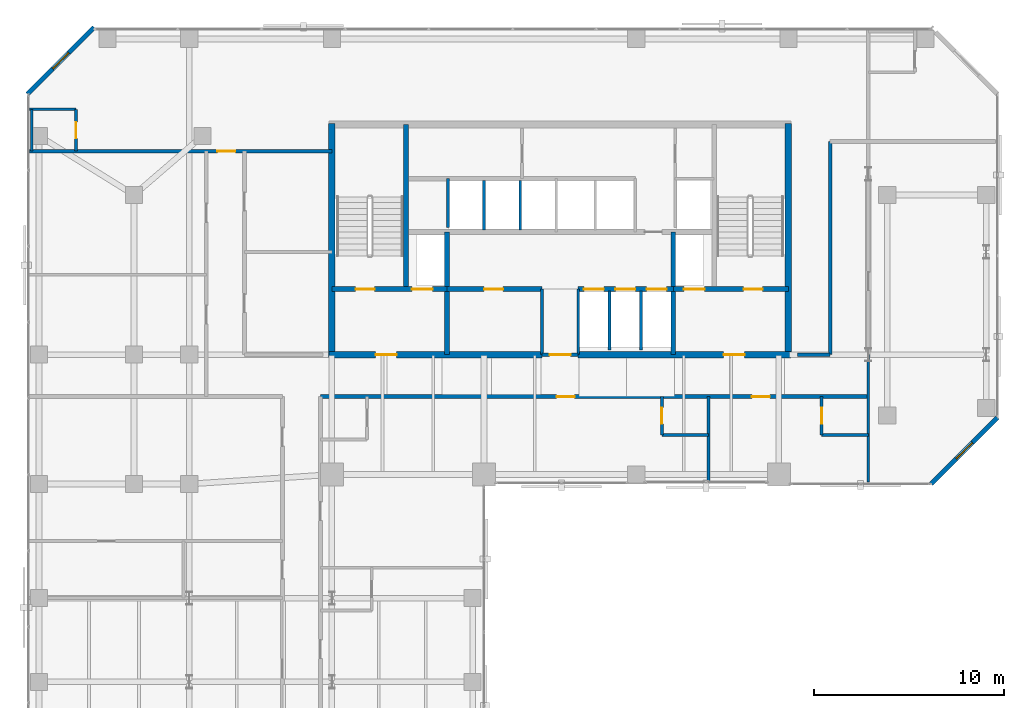
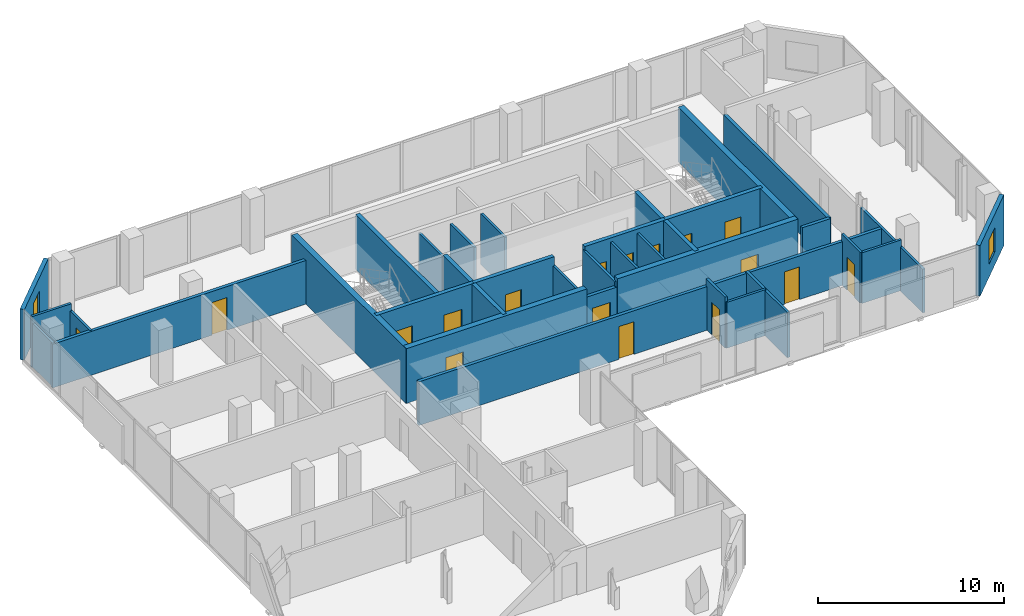
# One storey, part 29 of 33: 34 walls, 17 doors, 2 windows, 19 openings.
"""IFC4 building model written with IfcOpenShell, lengths in metres."""

from ifc_helpers import new_model, si_unit, direction, frame, frame_2d, origin, place, context, subcontext, project, spatial, rectangle, extrude, material, layer, layer_set, type_object, element, fill, save


model = new_model("IFC4")

# Units and contexts
model_context = context("Model", 3, precision=1e-05, world=origin(), true_north=direction((0.0, 1.0)))
body_context = subcontext(model_context, "Body", "Model", "MODEL_VIEW")
ifc_project = project(units=[si_unit("LENGTHUNIT", "METRE"), si_unit("AREAUNIT", "SQUARE_METRE"), si_unit("VOLUMEUNIT", "CUBIC_METRE"), si_unit("PLANEANGLEUNIT", "RADIAN"), si_unit("MASSUNIT", "GRAM", prefix="KILO")], contexts=[model_context])

# Site, building, storey
site_placement = place(None, origin())
site = spatial("IfcSite", under=ifc_project, at=site_placement, CompositionType="ELEMENT")
building_placement = place(site_placement, origin())
building = spatial("IfcBuilding", under=site, at=building_placement, Name="Catumbela Crestline Tower", CompositionType="ELEMENT")
storey_placement = place(building_placement, frame((0.0, 0.0, 100.8)))
storey = spatial("IfcBuildingStorey", under=building, at=storey_placement, Name="L25", CompositionType="ELEMENT", Elevation=100.8)

# Walls
ifc_material_1 = material(Name="Concrete C50/60", Category="concrete")
ifc_layer_1 = layer(ifc_material_1, 0.25, Name="Concrete C50/60")
ifc_layer_set_1 = layer_set([ifc_layer_1], Name="Concrete C50/60")
wall_type_1 = type_object("IfcWallType", Name="CW-250D", PredefinedType="SHEAR", material=ifc_layer_set_1)
wall_1_placement = place(storey_placement, frame((19.9, 34.25, 0.0), z_axis=(0.0, 0.0, 1.0), x_axis=(0.0, 1.0, 0.0)))
element("IfcWall", 1, at=wall_1_placement, inside=storey, type_object=wall_type_1, Name="L25 Structural Core Shear Wall WWEB", PredefinedType="SHEAR", context=body_context, shape_type="SweptSolid", body=[
    extrude(rectangle(XDim=8.65, YDim=0.25, at=frame_2d((4.325, 0.0))), origin(), (0.0, 0.0, 1.0), 3.6),
])
for number, where, z_axis, x_axis, name in (
    (2, (22.05, 30.8, 0.0), (0.0, 0.0, 1.0), (0.0, 1.0, 0.0), "L25 Structural Core Shear Wall FFW"),
    (3, (33.95, 30.8, 0.0), (0.0, 0.0, 1.0), (0.0, 1.0, 0.0), "L25 Structural Core Shear Wall FFE"),
):
    element("IfcWall", number, at=place(storey_placement, frame(where, z_axis=z_axis, x_axis=x_axis)), inside=storey, type_object=wall_type_1, Name=name, PredefinedType="SHEAR", context=body_context, shape_type="SweptSolid", body=[
        extrude(rectangle(XDim=6.45, YDim=0.25, at=frame_2d((3.225, 0.0))), origin(), (0.0, 0.0, 1.0), 3.6),
    ])

# Wall, openings, doors
wall_2_placement = place(storey_placement, frame((16.0, 34.25, 0.0), z_axis=(0.0, 0.0, 1.0), x_axis=(1.0, 0.0, 0.0)))
wall_2 = element("IfcWall", 4, at=wall_2_placement, inside=storey, type_object=wall_type_1, Name="L25 Structural Core Shear Wall ST1S", PredefinedType="SHEAR", context=body_context, shape_type="SweptSolid", body=[
    extrude(rectangle(XDim=6.05, YDim=0.25, at=frame_2d((3.025, 0.0))), origin(), (0.0, 0.0, 1.0), 3.6),
])
opening_1_placement = place(wall_2_placement, frame((1.25, 0.0, 0.0)))
opening_1 = element("IfcOpeningElement", 5, at=opening_1_placement, cuts=wall_2, Name="Opening DF9-100", PredefinedType="OPENING", context=body_context, shape_type="SweptSolid", body=[
    extrude(rectangle(XDim=1.0, YDim=2.15, at=frame_2d((0.5, 1.075))), frame((0.0, 0.135, 0.0), z_axis=(0.0, -1.0, 0.0), x_axis=(1.0, 0.0, 0.0)), (0.0, 0.0, 1.0), 0.27),
])
opening_2_placement = place(wall_2_placement, frame((4.2, 0.0, 0.0)))
opening_2 = element("IfcOpeningElement", 6, at=opening_2_placement, cuts=wall_2, Name="Opening LD-110", PredefinedType="OPENING", context=body_context, shape_type="SweptSolid", body=[
    extrude(rectangle(XDim=1.1, YDim=2.15, at=frame_2d((0.55, 1.075))), frame((0.0, 0.135, 0.0), z_axis=(0.0, -1.0, 0.0), x_axis=(1.0, 0.0, 0.0)), (0.0, 0.0, 1.0), 0.27),
])
ifc_material_2 = material(Name="Stainless steel EN 1.4401", Category="steel")
door_type_1 = type_object("IfcDoorType", Name="DF9-100", OperationType="NOTDEFINED", PredefinedType="DOOR", material=ifc_material_2)
door_1_placement = place(opening_1_placement, origin())
door_1 = element("IfcDoor", 7, at=door_1_placement, inside=storey, type_object=door_type_1, Name="L25 Interior Door DR-L25-ST01", OperationType="SINGLE_SWING_LEFT", OverallHeight=2.15, OverallWidth=1.0, PredefinedType="DOOR", context=body_context, shape_type="SweptSolid", body=[
    extrude(rectangle(XDim=1.0, YDim=2.15, at=frame_2d((0.5, 1.075))), frame((0.0, 0.025, 0.0), z_axis=(0.0, -1.0, 0.0), x_axis=(1.0, 0.0, 0.0)), (0.0, 0.0, 1.0), 0.05),
])
fill(opening_1, door_1)
door_type_2 = type_object("IfcDoorType", Name="LD-110", OperationType="NOTDEFINED", PredefinedType="DOOR", material=ifc_material_2)
door_2_placement = place(opening_2_placement, origin())
door_2 = element("IfcDoor", 8, at=door_2_placement, inside=storey, type_object=door_type_2, Name="L25 Lift Landing Sliding Door FL-01", OperationType="DOUBLE_DOOR_SLIDING", OverallHeight=2.15, OverallWidth=1.1, PredefinedType="DOOR", context=body_context, shape_type="SweptSolid", body=[
    extrude(rectangle(XDim=1.1, YDim=2.15, at=frame_2d((0.55, 1.075))), frame((0.0, 0.025, 0.0), z_axis=(0.0, -1.0, 0.0), x_axis=(1.0, 0.0, 0.0)), (0.0, 0.0, 1.0), 0.05),
])
fill(opening_2, door_2)

wall_3_placement = place(storey_placement, frame((33.95, 34.25, 0.0), z_axis=(0.0, 0.0, 1.0), x_axis=(1.0, 0.0, 0.0)))
wall_3 = element("IfcWall", 9, at=wall_3_placement, inside=storey, type_object=wall_type_1, Name="L25 Structural Core Shear Wall ST2S", PredefinedType="SHEAR", context=body_context, shape_type="SweptSolid", body=[
    extrude(rectangle(XDim=6.05, YDim=0.25, at=frame_2d((3.025, 0.0))), origin(), (0.0, 0.0, 1.0), 3.6),
])
opening_3_placement = place(wall_3_placement, frame((3.7, 0.0, 0.0)))
opening_3 = element("IfcOpeningElement", 10, at=opening_3_placement, cuts=wall_3, Name="Opening DF9-100", PredefinedType="OPENING", context=body_context, shape_type="SweptSolid", body=[
    extrude(rectangle(XDim=1.0, YDim=2.15, at=frame_2d((0.5, 1.075))), frame((0.0, 0.135, 0.0), z_axis=(0.0, -1.0, 0.0), x_axis=(1.0, 0.0, 0.0)), (0.0, 0.0, 1.0), 0.27),
])
opening_4_placement = place(wall_3_placement, frame((0.55, 0.0, 0.0)))
opening_4 = element("IfcOpeningElement", 11, at=opening_4_placement, cuts=wall_3, Name="Opening LD-110", PredefinedType="OPENING", context=body_context, shape_type="SweptSolid", body=[
    extrude(rectangle(XDim=1.1, YDim=2.15, at=frame_2d((0.55, 1.075))), frame((0.0, 0.135, 0.0), z_axis=(0.0, -1.0, 0.0), x_axis=(1.0, 0.0, 0.0)), (0.0, 0.0, 1.0), 0.27),
])
door_3_placement = place(opening_3_placement, origin())
door_3 = element("IfcDoor", 12, at=door_3_placement, inside=storey, type_object=door_type_1, Name="L25 Interior Door DR-L25-ST02", OperationType="SINGLE_SWING_RIGHT", OverallHeight=2.15, OverallWidth=1.0, PredefinedType="DOOR", context=body_context, shape_type="SweptSolid", body=[
    extrude(rectangle(XDim=1.0, YDim=2.15, at=frame_2d((0.5, 1.075))), frame((0.0, 0.025, 0.0), z_axis=(0.0, -1.0, 0.0), x_axis=(1.0, 0.0, 0.0)), (0.0, 0.0, 1.0), 0.05),
])
fill(opening_3, door_3)
door_4_placement = place(opening_4_placement, origin())
door_4 = element("IfcDoor", 13, at=door_4_placement, inside=storey, type_object=door_type_2, Name="L25 Lift Landing Sliding Door FL-02", OperationType="DOUBLE_DOOR_SLIDING", OverallHeight=2.15, OverallWidth=1.1, PredefinedType="DOOR", context=body_context, shape_type="SweptSolid", body=[
    extrude(rectangle(XDim=1.1, YDim=2.15, at=frame_2d((0.55, 1.075))), frame((0.0, 0.025, 0.0), z_axis=(0.0, -1.0, 0.0), x_axis=(1.0, 0.0, 0.0)), (0.0, 0.0, 1.0), 0.05),
])
fill(opening_4, door_4)

# Wall, opening, door
wall_4_placement = place(storey_placement, frame((22.05, 34.25, 0.0), z_axis=(0.0, 0.0, 1.0), x_axis=(1.0, 0.0, 0.0)))
wall_4 = element("IfcWall", 14, at=wall_4_placement, inside=storey, type_object=wall_type_1, Name="L25 Structural Core Shear Wall LIFTS-W", PredefinedType="SHEAR", context=body_context, shape_type="SweptSolid", body=[
    extrude(rectangle(XDim=5.0, YDim=0.25, at=frame_2d((2.5, 0.0))), origin(), (0.0, 0.0, 1.0), 3.6),
])
opening_5_placement = place(wall_4_placement, frame((1.95, 0.0, 0.0)))
opening_5 = element("IfcOpeningElement", 15, at=opening_5_placement, cuts=wall_4, Name="Opening DF9-100", PredefinedType="OPENING", context=body_context, shape_type="SweptSolid", body=[
    extrude(rectangle(XDim=1.0, YDim=2.15, at=frame_2d((0.5, 1.075))), frame((0.0, 0.135, 0.0), z_axis=(0.0, -1.0, 0.0), x_axis=(1.0, 0.0, 0.0)), (0.0, 0.0, 1.0), 0.27),
])
door_5_placement = place(opening_5_placement, origin())
door_5 = element("IfcDoor", 16, at=door_5_placement, inside=storey, type_object=door_type_1, Name="L25 Interior Door DR-L25-RECL1", OperationType="SINGLE_SWING_LEFT", OverallHeight=2.15, OverallWidth=1.0, PredefinedType="DOOR", context=body_context, shape_type="SweptSolid", body=[
    extrude(rectangle(XDim=1.0, YDim=2.15, at=frame_2d((0.5, 1.075))), frame((0.0, 0.025, 0.0), z_axis=(0.0, -1.0, 0.0), x_axis=(1.0, 0.0, 0.0)), (0.0, 0.0, 1.0), 0.05),
])
fill(opening_5, door_5)

# Wall, openings, doors
wall_5_placement = place(storey_placement, frame((28.95, 34.25, 0.0), z_axis=(0.0, 0.0, 1.0), x_axis=(1.0, 0.0, 0.0)))
wall_5 = element("IfcWall", 17, at=wall_5_placement, inside=storey, type_object=wall_type_1, Name="L25 Structural Core Shear Wall LIFTS-E", PredefinedType="SHEAR", context=body_context, shape_type="SweptSolid", body=[
    extrude(rectangle(XDim=5.0, YDim=0.25, at=frame_2d((2.5, 0.0))), origin(), (0.0, 0.0, 1.0), 3.6),
])
opening_6_placement = place(wall_5_placement, frame((0.3, 0.0, 0.0)))
opening_6 = element("IfcOpeningElement", 18, at=opening_6_placement, cuts=wall_5, Name="Opening LD-105", PredefinedType="OPENING", context=body_context, shape_type="SweptSolid", body=[
    extrude(rectangle(XDim=1.05, YDim=2.15, at=frame_2d((0.525, 1.075))), frame((0.0, 0.135, 0.0), z_axis=(0.0, -1.0, 0.0), x_axis=(1.0, 0.0, 0.0)), (0.0, 0.0, 1.0), 0.27),
])
opening_7_placement = place(wall_5_placement, frame((1.95, 0.0, 0.0)))
opening_7 = element("IfcOpeningElement", 19, at=opening_7_placement, cuts=wall_5, Name="Opening LD-105", PredefinedType="OPENING", context=body_context, shape_type="SweptSolid", body=[
    extrude(rectangle(XDim=1.05, YDim=2.15, at=frame_2d((0.525, 1.075))), frame((0.0, 0.135, 0.0), z_axis=(0.0, -1.0, 0.0), x_axis=(1.0, 0.0, 0.0)), (0.0, 0.0, 1.0), 0.27),
])
opening_8_placement = place(wall_5_placement, frame((3.6, 0.0, 0.0)))
opening_8 = element("IfcOpeningElement", 20, at=opening_8_placement, cuts=wall_5, Name="Opening LD-105", PredefinedType="OPENING", context=body_context, shape_type="SweptSolid", body=[
    extrude(rectangle(XDim=1.05, YDim=2.15, at=frame_2d((0.525, 1.075))), frame((0.0, 0.135, 0.0), z_axis=(0.0, -1.0, 0.0), x_axis=(1.0, 0.0, 0.0)), (0.0, 0.0, 1.0), 0.27),
])
door_type_3 = type_object("IfcDoorType", Name="LD-105", OperationType="NOTDEFINED", PredefinedType="DOOR", material=ifc_material_2)
door_6_placement = place(opening_6_placement, origin())
door_6 = element("IfcDoor", 21, at=door_6_placement, inside=storey, type_object=door_type_3, Name="L25 Lift Landing Sliding Door PL-M1", OperationType="DOUBLE_DOOR_SLIDING", OverallHeight=2.15, OverallWidth=1.05, PredefinedType="DOOR", context=body_context, shape_type="SweptSolid", body=[
    extrude(rectangle(XDim=1.05, YDim=2.15, at=frame_2d((0.525, 1.075))), frame((0.0, 0.025, 0.0), z_axis=(0.0, -1.0, 0.0), x_axis=(1.0, 0.0, 0.0)), (0.0, 0.0, 1.0), 0.05),
])
fill(opening_6, door_6)
door_7_placement = place(opening_7_placement, origin())
door_7 = element("IfcDoor", 22, at=door_7_placement, inside=storey, type_object=door_type_3, Name="L25 Lift Landing Sliding Door PL-M2", OperationType="DOUBLE_DOOR_SLIDING", OverallHeight=2.15, OverallWidth=1.05, PredefinedType="DOOR", context=body_context, shape_type="SweptSolid", body=[
    extrude(rectangle(XDim=1.05, YDim=2.15, at=frame_2d((0.525, 1.075))), frame((0.0, 0.025, 0.0), z_axis=(0.0, -1.0, 0.0), x_axis=(1.0, 0.0, 0.0)), (0.0, 0.0, 1.0), 0.05),
])
fill(opening_7, door_7)
door_8_placement = place(opening_8_placement, origin())
door_8 = element("IfcDoor", 23, at=door_8_placement, inside=storey, type_object=door_type_3, Name="L25 Lift Landing Sliding Door PL-M3", OperationType="DOUBLE_DOOR_SLIDING", OverallHeight=2.15, OverallWidth=1.05, PredefinedType="DOOR", context=body_context, shape_type="SweptSolid", body=[
    extrude(rectangle(XDim=1.05, YDim=2.15, at=frame_2d((0.525, 1.075))), frame((0.0, 0.025, 0.0), z_axis=(0.0, -1.0, 0.0), x_axis=(1.0, 0.0, 0.0)), (0.0, 0.0, 1.0), 0.05),
])
fill(opening_8, door_8)

# Walls
ifc_layer_2 = layer(ifc_material_1, 0.35, Name="Concrete C50/60")
ifc_layer_set_2 = layer_set([ifc_layer_2], Name="Concrete C50/60")
wall_type_2 = type_object("IfcWallType", Name="CW-350B", PredefinedType="SHEAR", material=ifc_layer_set_2)
for number, where, z_axis, x_axis, name in (
    (24, (16.0, 30.65, 0.0), (0.0, 0.0, 1.0), (0.0, 1.0, 0.0), "L25 Structural Core Shear Wall W"),
    (25, (40.0, 30.65, 0.0), (0.0, 0.0, 1.0), (0.0, 1.0, 0.0), "L25 Structural Core Shear Wall E"),
):
    element("IfcWall", number, at=place(storey_placement, frame(where, z_axis=z_axis, x_axis=x_axis)), inside=storey, type_object=wall_type_2, Name=name, PredefinedType="SHEAR", context=body_context, shape_type="SweptSolid", body=[
        extrude(rectangle(XDim=12.3, YDim=0.35, at=frame_2d((6.15, 0.0))), origin(), (0.0, 0.0, 1.0), 3.6),
    ])

# Wall, opening, door
wall_6_placement = place(storey_placement, frame((15.85, 30.8, 0.0), z_axis=(0.0, 0.0, 1.0), x_axis=(1.0, 0.0, 0.0)))
wall_6 = element("IfcWall", 26, at=wall_6_placement, inside=storey, type_object=wall_type_2, Name="L25 Structural Core Shear Wall SW", PredefinedType="SHEAR", context=body_context, shape_type="SweptSolid", body=[
    extrude(rectangle(XDim=11.2, YDim=0.35, at=frame_2d((5.6, 0.0))), origin(), (0.0, 0.0, 1.0), 3.6),
])
opening_9_placement = place(wall_6_placement, frame((2.45, 0.0, 0.0)))
opening_9 = element("IfcOpeningElement", 27, at=opening_9_placement, cuts=wall_6, Name="Opening DF9-110", PredefinedType="OPENING", context=body_context, shape_type="SweptSolid", body=[
    extrude(rectangle(XDim=1.1, YDim=2.15, at=frame_2d((0.55, 1.075))), frame((0.0, 0.185, 0.0), z_axis=(0.0, -1.0, 0.0), x_axis=(1.0, 0.0, 0.0)), (0.0, 0.0, 1.0), 0.37),
])
door_type_4 = type_object("IfcDoorType", Name="DF9-110", OperationType="NOTDEFINED", PredefinedType="DOOR", material=ifc_material_2)
door_9_placement = place(opening_9_placement, origin())
door_9 = element("IfcDoor", 28, at=door_9_placement, inside=storey, type_object=door_type_4, Name="L25 Interior Door DR-L25-FFW-S", OperationType="SINGLE_SWING_LEFT", OverallHeight=2.15, OverallWidth=1.1, PredefinedType="DOOR", context=body_context, shape_type="SweptSolid", body=[
    extrude(rectangle(XDim=1.1, YDim=2.15, at=frame_2d((0.55, 1.075))), frame((0.0, 0.025, 0.0), z_axis=(0.0, -1.0, 0.0), x_axis=(1.0, 0.0, 0.0)), (0.0, 0.0, 1.0), 0.05),
])
fill(opening_9, door_9)

wall_7_placement = place(storey_placement, frame((28.95, 30.8, 0.0), z_axis=(0.0, 0.0, 1.0), x_axis=(1.0, 0.0, 0.0)))
wall_7 = element("IfcWall", 29, at=wall_7_placement, inside=storey, type_object=wall_type_2, Name="L25 Structural Core Shear Wall SE", PredefinedType="SHEAR", context=body_context, shape_type="SweptSolid", body=[
    extrude(rectangle(XDim=11.2, YDim=0.35, at=frame_2d((5.6, 0.0))), origin(), (0.0, 0.0, 1.0), 3.6),
])
opening_10_placement = place(wall_7_placement, frame((7.65, 0.0, 0.0)))
opening_10 = element("IfcOpeningElement", 30, at=opening_10_placement, cuts=wall_7, Name="Opening DF9-110", PredefinedType="OPENING", context=body_context, shape_type="SweptSolid", body=[
    extrude(rectangle(XDim=1.1, YDim=2.15, at=frame_2d((0.55, 1.075))), frame((0.0, 0.185, 0.0), z_axis=(0.0, -1.0, 0.0), x_axis=(1.0, 0.0, 0.0)), (0.0, 0.0, 1.0), 0.37),
])
door_10_placement = place(opening_10_placement, origin())
door_10 = element("IfcDoor", 31, at=door_10_placement, inside=storey, type_object=door_type_4, Name="L25 Interior Door DR-L25-FFE-S", OperationType="SINGLE_SWING_RIGHT", OverallHeight=2.15, OverallWidth=1.1, PredefinedType="DOOR", context=body_context, shape_type="SweptSolid", body=[
    extrude(rectangle(XDim=1.1, YDim=2.15, at=frame_2d((0.55, 1.075))), frame((0.0, 0.025, 0.0), z_axis=(0.0, -1.0, 0.0), x_axis=(1.0, 0.0, 0.0)), (0.0, 0.0, 1.0), 0.05),
])
fill(opening_10, door_10)

ifc_material_3 = material(Name="Acoustic gypsum and mineral-wool partition")
ifc_layer_3 = layer(ifc_material_3, 0.2, Name="Acoustic gypsum and mineral-wool partition")
ifc_layer_set_3 = layer_set([ifc_layer_3], Name="Acoustic gypsum and mineral-wool partition")
wall_type_3 = type_object("IfcWallType", Name="WC-200", PredefinedType="PARTITIONING", material=ifc_layer_set_3)
wall_8_placement = place(storey_placement, frame((27.05, 30.8, 0.0), z_axis=(0.0, 0.0, 1.0), x_axis=(1.0, 0.0, 0.0)))
wall_8 = element("IfcWall", 32, at=wall_8_placement, inside=storey, type_object=wall_type_3, Name="L25 Interior Partition PW-L25-CLOBS", PredefinedType="PARTITIONING", context=body_context, shape_type="SweptSolid", body=[
    extrude(rectangle(XDim=1.9, YDim=0.2, at=frame_2d((0.95, 0.0))), origin(), (0.0, 0.0, 1.0), 3.01),
])
opening_11_placement = place(wall_8_placement, frame((0.4, 0.0, 0.0)))
opening_11 = element("IfcOpeningElement", 33, at=opening_11_placement, cuts=wall_8, Name="Opening DF9-110", PredefinedType="OPENING", context=body_context, shape_type="SweptSolid", body=[
    extrude(rectangle(XDim=1.1, YDim=2.15, at=frame_2d((0.55, 1.075))), frame((0.0, 0.11, 0.0), z_axis=(0.0, -1.0, 0.0), x_axis=(1.0, 0.0, 0.0)), (0.0, 0.0, 1.0), 0.22),
])
door_11_placement = place(opening_11_placement, origin())
door_11 = element("IfcDoor", 34, at=door_11_placement, inside=storey, type_object=door_type_4, Name="L25 Interior Door DR-L25-CLOBS", OperationType="SINGLE_SWING_LEFT", OverallHeight=2.15, OverallWidth=1.1, PredefinedType="DOOR", context=body_context, shape_type="SweptSolid", body=[
    extrude(rectangle(XDim=1.1, YDim=2.15, at=frame_2d((0.55, 1.075))), frame((0.0, 0.025, 0.0), z_axis=(0.0, -1.0, 0.0), x_axis=(1.0, 0.0, 0.0)), (0.0, 0.0, 1.0), 0.05),
])
fill(opening_11, door_11)

# Wall, openings, doors
wall_9_placement = place(storey_placement, frame((15.4, 28.6, 0.0), z_axis=(0.0, 0.0, 1.0), x_axis=(1.0, 0.0, 0.0)))
wall_9 = element("IfcWall", 35, at=wall_9_placement, inside=storey, type_object=wall_type_3, Name="L25 Interior Partition PW-L25-Z2CW-N2", PredefinedType="PARTITIONING", context=body_context, shape_type="SweptSolid", body=[
    extrude(rectangle(XDim=28.8, YDim=0.2, at=frame_2d((14.4, 0.0))), origin(), (0.0, 0.0, 1.0), 2.87),
])
opening_12_placement = place(wall_9_placement, frame((12.41, 0.0, 0.0)))
opening_12 = element("IfcOpeningElement", 36, at=opening_12_placement, cuts=wall_9, Name="Opening DF6-095", PredefinedType="OPENING", context=body_context, shape_type="SweptSolid", body=[
    extrude(rectangle(XDim=0.95, YDim=2.15, at=frame_2d((0.475, 1.075))), frame((0.0, 0.11, 0.0), z_axis=(0.0, -1.0, 0.0), x_axis=(1.0, 0.0, 0.0)), (0.0, 0.0, 1.0), 0.22),
])
opening_13_placement = place(wall_9_placement, frame((22.68, 0.0, 0.0)))
opening_13 = element("IfcOpeningElement", 37, at=opening_13_placement, cuts=wall_9, Name="Opening DF6-095", PredefinedType="OPENING", context=body_context, shape_type="SweptSolid", body=[
    extrude(rectangle(XDim=0.95, YDim=2.15, at=frame_2d((0.475, 1.075))), frame((0.0, 0.11, 0.0), z_axis=(0.0, -1.0, 0.0), x_axis=(1.0, 0.0, 0.0)), (0.0, 0.0, 1.0), 0.22),
])
ifc_material_4 = material(Name="Aluminium alloy AW-6060-T66", Category="aluminium")
door_type_5 = type_object("IfcDoorType", Name="DF6-095", OperationType="NOTDEFINED", PredefinedType="DOOR", material=ifc_material_4)
door_12_placement = place(opening_12_placement, origin())
door_12 = element("IfcDoor", 38, at=door_12_placement, inside=storey, type_object=door_type_5, Name="L25 Interior Door DR-L25-SS1-ENT", OperationType="SINGLE_SWING_RIGHT", OverallHeight=2.15, OverallWidth=0.95, PredefinedType="DOOR", context=body_context, shape_type="SweptSolid", body=[
    extrude(rectangle(XDim=0.95, YDim=2.15, at=frame_2d((0.475, 1.075))), frame((0.0, 0.025, 0.0), z_axis=(0.0, -1.0, 0.0), x_axis=(1.0, 0.0, 0.0)), (0.0, 0.0, 1.0), 0.05),
])
fill(opening_12, door_12)
door_13_placement = place(opening_13_placement, origin())
door_13 = element("IfcDoor", 39, at=door_13_placement, inside=storey, type_object=door_type_5, Name="L25 Interior Door DR-L25-SS2-ENT", OperationType="SINGLE_SWING_LEFT", OverallHeight=2.15, OverallWidth=0.95, PredefinedType="DOOR", context=body_context, shape_type="SweptSolid", body=[
    extrude(rectangle(XDim=0.95, YDim=2.15, at=frame_2d((0.475, 1.075))), frame((0.0, 0.025, 0.0), z_axis=(0.0, -1.0, 0.0), x_axis=(1.0, 0.0, 0.0)), (0.0, 0.0, 1.0), 0.05),
])
fill(opening_13, door_13)

# Walls
wall_10_placement = place(storey_placement, frame((40.47, 30.8, 0.0), z_axis=(0.0, 0.0, 1.0), x_axis=(1.0, 0.0, 0.0)))
element("IfcWall", 40, at=wall_10_placement, inside=storey, type_object=wall_type_3, Name="L25 Interior Partition PW-L25-Z2CW-E1", PredefinedType="PARTITIONING", context=body_context, shape_type="SweptSolid", body=[
    extrude(rectangle(XDim=1.73, YDim=0.2, at=frame_2d((0.865, 0.0))), origin(), (0.0, 0.0, 1.0), 2.87),
])
wall_11_placement = place(storey_placement, frame((42.2, 30.8, 0.0), z_axis=(0.0, 0.0, 1.0), x_axis=(0.0, 1.0, 0.0)))
element("IfcWall", 41, at=wall_11_placement, inside=storey, type_object=wall_type_3, Name="L25 Interior Partition PW-L25-Z2CW-E2", PredefinedType="PARTITIONING", context=body_context, shape_type="SweptSolid", body=[
    extrude(rectangle(XDim=11.2, YDim=0.2, at=frame_2d((5.6, 0.0))), origin(), (0.0, 0.0, 1.0), 2.87),
])

# Wall, opening, door
wall_12_placement = place(storey_placement, frame((0.1, 41.5, 0.0), z_axis=(0.0, 0.0, 1.0), x_axis=(1.0, 0.0, 0.0)))
wall_12 = element("IfcWall", 42, at=wall_12_placement, inside=storey, type_object=wall_type_3, Name="L25 Interior Partition PW-L25-Z2NWT-ENT", PredefinedType="PARTITIONING", context=body_context, shape_type="SweptSolid", body=[
    extrude(rectangle(XDim=15.9, YDim=0.2, at=frame_2d((7.95, 0.0))), origin(), (0.0, 0.0, 1.0), 2.87),
])
opening_14_placement = place(wall_12_placement, frame((9.8771, 0.0, 0.0)))
opening_14 = element("IfcOpeningElement", 43, at=opening_14_placement, cuts=wall_12, Name="Opening DF6-095", PredefinedType="OPENING", context=body_context, shape_type="SweptSolid", body=[
    extrude(rectangle(XDim=0.95, YDim=2.15, at=frame_2d((0.475, 1.075))), frame((0.0, 0.11, 0.0), z_axis=(0.0, -1.0, 0.0), x_axis=(1.0, 0.0, 0.0)), (0.0, 0.0, 1.0), 0.22),
])
door_14_placement = place(opening_14_placement, origin())
door_14 = element("IfcDoor", 44, at=door_14_placement, inside=storey, type_object=door_type_5, Name="L25 Interior Door DR-L25-Z2NWT-ENT", OperationType="SINGLE_SWING_RIGHT", OverallHeight=2.15, OverallWidth=0.95, PredefinedType="DOOR", context=body_context, shape_type="SweptSolid", body=[
    extrude(rectangle(XDim=0.95, YDim=2.15, at=frame_2d((0.475, 1.075))), frame((0.0, 0.025, 0.0), z_axis=(0.0, -1.0, 0.0), x_axis=(1.0, 0.0, 0.0)), (0.0, 0.0, 1.0), 0.05),
])
fill(opening_14, door_14)

# Wall, opening, window
ifc_material_5 = material(Name="Angolan grey-ochre granite", Category="masonry")
ifc_layer_4 = layer(ifc_material_5, 0.25, Name="Angolan grey-ochre granite")
ifc_layer_set_4 = layer_set([ifc_layer_4], Name="Angolan grey-ochre granite")
wall_type_4 = type_object("IfcWallType", Name="WE-250", PredefinedType="STANDARD", material=ifc_layer_set_4)
wall_13_placement = place(storey_placement, frame((47.5, 24.0, 0.0), z_axis=(0.0, 0.0, 1.0), x_axis=(0.707106781187, 0.707106781187, 0.0)))
wall_13 = element("IfcWall", 45, at=wall_13_placement, inside=storey, type_object=wall_type_4, Name="L25 Granite Punched Window Wall 4-1", PredefinedType="STANDARD", context=body_context, shape_type="SweptSolid", body=[
    extrude(rectangle(XDim=4.9497, YDim=0.25, at=frame_2d((2.4748, 0.0))), origin(), (0.0, 0.0, 1.0), 3.33),
])
opening_15_placement = place(wall_13_placement, frame((1.8748, 0.0, 0.85)))
opening_15 = element("IfcOpeningElement", 46, at=opening_15_placement, cuts=wall_13, Name="Opening WN-02", PredefinedType="OPENING", context=body_context, shape_type="SweptSolid", body=[
    extrude(rectangle(XDim=1.2, YDim=1.6, at=frame_2d((0.6, 0.8))), frame((0.0, 0.135, 0.0), z_axis=(0.0, -1.0, 0.0), x_axis=(1.0, 0.0, 0.0)), (0.0, 0.0, 1.0), 0.27),
])
ifc_material_6 = material(Name="Low-E laminated solar-control double glazing", Category="glass")
window_type = type_object("IfcWindowType", Name="WO-1200", PartitioningType="SINGLE_PANEL", PredefinedType="WINDOW", material=ifc_material_6)
window_1_placement = place(opening_15_placement, origin())
window_1 = element("IfcWindow", 47, at=window_1_placement, inside=storey, type_object=window_type, Name="L25 Facade Vision Window 146", OverallHeight=1.6, OverallWidth=1.2, PartitioningType="SINGLE_PANEL", PredefinedType="WINDOW", context=body_context, shape_type="SweptSolid", body=[
    extrude(rectangle(XDim=1.2, YDim=1.6, at=frame_2d((0.6, 0.8))), frame((0.0, 0.03, 0.0), z_axis=(0.0, -1.0, 0.0), x_axis=(1.0, 0.0, 0.0)), (0.0, 0.0, 1.0), 0.06),
])
fill(opening_15, window_1)

wall_14_placement = place(storey_placement, frame((3.5, 48.0, 0.0), z_axis=(0.0, 0.0, 1.0), x_axis=(-0.707106781187, -0.707106781187, 0.0)))
wall_14 = element("IfcWall", 48, at=wall_14_placement, inside=storey, type_object=wall_type_4, Name="L25 Granite Punched Window Wall 8-1", PredefinedType="STANDARD", context=body_context, shape_type="SweptSolid", body=[
    extrude(rectangle(XDim=4.9497, YDim=0.25, at=frame_2d((2.4748, 0.0))), origin(), (0.0, 0.0, 1.0), 3.33),
])
opening_16_placement = place(wall_14_placement, frame((1.8748, 0.0, 0.85)))
opening_16 = element("IfcOpeningElement", 49, at=opening_16_placement, cuts=wall_14, Name="Opening WN-02", PredefinedType="OPENING", context=body_context, shape_type="SweptSolid", body=[
    extrude(rectangle(XDim=1.2, YDim=1.6, at=frame_2d((0.6, 0.8))), frame((0.0, 0.135, 0.0), z_axis=(0.0, -1.0, 0.0), x_axis=(1.0, 0.0, 0.0)), (0.0, 0.0, 1.0), 0.27),
])
window_2_placement = place(opening_16_placement, origin())
window_2 = element("IfcWindow", 50, at=window_2_placement, inside=storey, type_object=window_type, Name="L25 Facade Vision Window 148", OverallHeight=1.6, OverallWidth=1.2, PartitioningType="SINGLE_PANEL", PredefinedType="WINDOW", context=body_context, shape_type="SweptSolid", body=[
    extrude(rectangle(XDim=1.2, YDim=1.6, at=frame_2d((0.6, 0.8))), frame((0.0, 0.03, 0.0), z_axis=(0.0, -1.0, 0.0), x_axis=(1.0, 0.0, 0.0)), (0.0, 0.0, 1.0), 0.06),
])
fill(opening_16, window_2)

# Wall
ifc_layer_5 = layer(ifc_material_3, 0.15, Name="Acoustic gypsum and mineral-wool partition")
ifc_layer_set_5 = layer_set([ifc_layer_5], Name="Acoustic gypsum and mineral-wool partition")
wall_type_5 = type_object("IfcWallType", Name="WP-150", PredefinedType="PARTITIONING", material=ifc_layer_set_5)
wall_15_placement = place(storey_placement, frame((0.1, 43.7, 0.0), z_axis=(0.0, 0.0, 1.0), x_axis=(1.0, 0.0, 0.0)))
element("IfcWall", 51, at=wall_15_placement, inside=storey, type_object=wall_type_5, Name="L25 Interior Partition PW-L25-Z2NWT-BHW", PredefinedType="PARTITIONING", context=body_context, shape_type="SweptSolid", body=[
    extrude(rectangle(XDim=2.45, YDim=0.15, at=frame_2d((1.225, 0.0))), origin(), (0.0, 0.0, 1.0), 3.33),
])

# Wall, opening, door
wall_16_placement = place(storey_placement, frame((2.55, 41.5, 0.0), z_axis=(0.0, 0.0, 1.0), x_axis=(0.0, 1.0, 0.0)))
wall_16 = element("IfcWall", 52, at=wall_16_placement, inside=storey, type_object=wall_type_5, Name="L25 Interior Partition PW-L25-Z2NWT-BEW", PredefinedType="PARTITIONING", context=body_context, shape_type="SweptSolid", body=[
    extrude(rectangle(XDim=2.2, YDim=0.15, at=frame_2d((1.1, 0.0))), origin(), (0.0, 0.0, 1.0), 2.87),
])
opening_17_placement = place(wall_16_placement, frame((0.675, 0.0, 0.0)))
opening_17 = element("IfcOpeningElement", 53, at=opening_17_placement, cuts=wall_16, Name="Opening DI-085", PredefinedType="OPENING", context=body_context, shape_type="SweptSolid", body=[
    extrude(rectangle(XDim=0.85, YDim=2.15, at=frame_2d((0.425, 1.075))), frame((0.0, 0.085, 0.0), z_axis=(0.0, -1.0, 0.0), x_axis=(1.0, 0.0, 0.0)), (0.0, 0.0, 1.0), 0.17),
])
door_type_6 = type_object("IfcDoorType", Name="DI-085", OperationType="NOTDEFINED", PredefinedType="DOOR", material=ifc_material_4)
door_15_placement = place(opening_17_placement, origin())
door_15 = element("IfcDoor", 54, at=door_15_placement, inside=storey, type_object=door_type_6, Name="L25 Interior Door DR-L25-Z2NWT-BTH", OperationType="SINGLE_SWING_LEFT", OverallHeight=2.15, OverallWidth=0.85, PredefinedType="DOOR", context=body_context, shape_type="SweptSolid", body=[
    extrude(rectangle(XDim=0.85, YDim=2.15, at=frame_2d((0.425, 1.075))), frame((0.0, 0.025, 0.0), z_axis=(0.0, -1.0, 0.0), x_axis=(1.0, 0.0, 0.0)), (0.0, 0.0, 1.0), 0.05),
])
fill(opening_17, door_15)

# Walls
wall_17_placement = place(storey_placement, frame((0.22, 41.5, 0.0), z_axis=(0.0, 0.0, 1.0), x_axis=(0.0, 1.0, 0.0)))
element("IfcWall", 55, at=wall_17_placement, inside=storey, type_object=wall_type_5, Name="L25 Interior Partition PW-L25-Z2NWT-BCL-2", PredefinedType="PARTITIONING", context=body_context, shape_type="SweptSolid", body=[
    extrude(rectangle(XDim=2.2, YDim=0.15, at=frame_2d((1.1, 0.0))), origin(), (0.0, 0.0, 1.0), 2.87),
])
wall_18_placement = place(storey_placement, frame((33.35, 26.576, 0.0), z_axis=(0.0, 0.0, 1.0), x_axis=(1.0, 0.0, 0.0)))
element("IfcWall", 56, at=wall_18_placement, inside=storey, type_object=wall_type_5, Name="L25 Interior Partition PW-L25-SS1-BHW", PredefinedType="PARTITIONING", context=body_context, shape_type="SweptSolid", body=[
    extrude(rectangle(XDim=2.45, YDim=0.15, at=frame_2d((1.225, 0.0))), origin(), (0.0, 0.0, 1.0), 3.01),
])

# Wall, opening, door
wall_19_placement = place(storey_placement, frame((33.35, 26.576, 0.0), z_axis=(0.0, 0.0, 1.0), x_axis=(0.0, 1.0, 0.0)))
wall_19 = element("IfcWall", 57, at=wall_19_placement, inside=storey, type_object=wall_type_5, Name="L25 Interior Partition PW-L25-SS1-BWW", PredefinedType="PARTITIONING", context=body_context, shape_type="SweptSolid", body=[
    extrude(rectangle(XDim=2.024, YDim=0.15, at=frame_2d((1.012, 0.0))), origin(), (0.0, 0.0, 1.0), 3.33),
])
opening_18_placement = place(wall_19_placement, frame((0.587, 0.0, 0.0)))
opening_18 = element("IfcOpeningElement", 58, at=opening_18_placement, cuts=wall_19, Name="Opening DI-085", PredefinedType="OPENING", context=body_context, shape_type="SweptSolid", body=[
    extrude(rectangle(XDim=0.85, YDim=2.15, at=frame_2d((0.425, 1.075))), frame((0.0, 0.085, 0.0), z_axis=(0.0, -1.0, 0.0), x_axis=(1.0, 0.0, 0.0)), (0.0, 0.0, 1.0), 0.17),
])
door_16_placement = place(opening_18_placement, origin())
door_16 = element("IfcDoor", 59, at=door_16_placement, inside=storey, type_object=door_type_6, Name="L25 Interior Door DR-L25-SS1-BTH", OperationType="SINGLE_SWING_RIGHT", OverallHeight=2.15, OverallWidth=0.85, PredefinedType="DOOR", context=body_context, shape_type="SweptSolid", body=[
    extrude(rectangle(XDim=0.85, YDim=2.15, at=frame_2d((0.425, 1.075))), frame((0.0, 0.025, 0.0), z_axis=(0.0, -1.0, 0.0), x_axis=(1.0, 0.0, 0.0)), (0.0, 0.0, 1.0), 0.05),
])
fill(opening_18, door_16)

# Walls
wall_20_placement = place(storey_placement, frame((35.8, 28.6, 0.0), z_axis=(0.0, 0.0, 1.0), x_axis=(0.0, -1.0, 0.0)))
element("IfcWall", 60, at=wall_20_placement, inside=storey, type_object=wall_type_5, Name="L25 Interior Partition PW-L25-SS1-BCL-2", PredefinedType="PARTITIONING", context=body_context, shape_type="SweptSolid", body=[
    extrude(rectangle(XDim=4.5, YDim=0.15, at=frame_2d((2.25, 0.0))), origin(), (0.0, 0.0, 1.0), 2.96),
])
wall_21_placement = place(storey_placement, frame((41.75, 26.576, 0.0), z_axis=(0.0, 0.0, 1.0), x_axis=(1.0, 0.0, 0.0)))
element("IfcWall", 61, at=wall_21_placement, inside=storey, type_object=wall_type_5, Name="L25 Interior Partition PW-L25-SS2-BHW", PredefinedType="PARTITIONING", context=body_context, shape_type="SweptSolid", body=[
    extrude(rectangle(XDim=2.45, YDim=0.15, at=frame_2d((1.225, 0.0))), origin(), (0.0, 0.0, 1.0), 3.33),
])

# Wall, opening, door
wall_22_placement = place(storey_placement, frame((41.75, 26.576, 0.0), z_axis=(0.0, 0.0, 1.0), x_axis=(0.0, 1.0, 0.0)))
wall_22 = element("IfcWall", 62, at=wall_22_placement, inside=storey, type_object=wall_type_5, Name="L25 Interior Partition PW-L25-SS2-BWW", PredefinedType="PARTITIONING", context=body_context, shape_type="SweptSolid", body=[
    extrude(rectangle(XDim=2.024, YDim=0.15, at=frame_2d((1.012, 0.0))), origin(), (0.0, 0.0, 1.0), 3.33),
])
opening_19_placement = place(wall_22_placement, frame((0.587, 0.0, 0.0)))
opening_19 = element("IfcOpeningElement", 63, at=opening_19_placement, cuts=wall_22, Name="Opening DI-085", PredefinedType="OPENING", context=body_context, shape_type="SweptSolid", body=[
    extrude(rectangle(XDim=0.85, YDim=2.15, at=frame_2d((0.425, 1.075))), frame((0.0, 0.085, 0.0), z_axis=(0.0, -1.0, 0.0), x_axis=(1.0, 0.0, 0.0)), (0.0, 0.0, 1.0), 0.17),
])
door_17_placement = place(opening_19_placement, origin())
door_17 = element("IfcDoor", 64, at=door_17_placement, inside=storey, type_object=door_type_6, Name="L25 Interior Door DR-L25-SS2-BTH", OperationType="SINGLE_SWING_RIGHT", OverallHeight=2.15, OverallWidth=0.85, PredefinedType="DOOR", context=body_context, shape_type="SweptSolid", body=[
    extrude(rectangle(XDim=0.85, YDim=2.15, at=frame_2d((0.425, 1.075))), frame((0.0, 0.025, 0.0), z_axis=(0.0, -1.0, 0.0), x_axis=(1.0, 0.0, 0.0)), (0.0, 0.0, 1.0), 0.05),
])
fill(opening_19, door_17)

# Walls
wall_23_placement = place(storey_placement, frame((44.2, 30.8, 0.0), z_axis=(0.0, 0.0, 1.0), x_axis=(0.0, -1.0, 0.0)))
element("IfcWall", 65, at=wall_23_placement, inside=storey, type_object=wall_type_5, Name="L25 Interior Partition PW-L25-SS2-BCL-2", PredefinedType="PARTITIONING", context=body_context, shape_type="SweptSolid", body=[
    extrude(rectangle(XDim=6.7, YDim=0.15, at=frame_2d((3.35, 0.0))), origin(), (0.0, 0.0, 1.0), 2.87),
])
ifc_layer_6 = layer(ifc_material_3, 0.15, Name="Acoustic gypsum and mineral-wool partition")
ifc_layer_set_6 = layer_set([ifc_layer_6], Name="Acoustic gypsum and mineral-wool partition")
wall_type_6 = type_object("IfcWallType", Name="WS-150", PredefinedType="PLUMBINGWALL", material=ifc_layer_set_6)
wall_24_placement = place(storey_placement, frame((27.05, 30.8, 0.0), z_axis=(0.0, 0.0, 1.0), x_axis=(0.0, 1.0, 0.0)))
element("IfcWall", 66, at=wall_24_placement, inside=storey, type_object=wall_type_6, Name="L25 Interior Partition PW-L25-THRW", PredefinedType="PLUMBINGWALL", context=body_context, shape_type="SweptSolid", body=[
    extrude(rectangle(XDim=3.45, YDim=0.15, at=frame_2d((1.725, 0.0))), origin(), (0.0, 0.0, 1.0), 3.01),
])
wall_25_placement = place(storey_placement, frame((28.95, 30.8, 0.0), z_axis=(0.0, 0.0, 1.0), x_axis=(0.0, 1.0, 0.0)))
element("IfcWall", 67, at=wall_25_placement, inside=storey, type_object=wall_type_6, Name="L25 Interior Partition PW-L25-THRE", PredefinedType="PLUMBINGWALL", context=body_context, shape_type="SweptSolid", body=[
    extrude(rectangle(XDim=3.45, YDim=0.15, at=frame_2d((1.725, 0.0))), origin(), (0.0, 0.0, 1.0), 3.33),
])
for number, where, z_axis, x_axis, name in (
    (68, (30.6, 31.05, 0.0), (0.0, 0.0, 1.0), (0.0, 1.0, 0.0), "L25 Interior Partition PW-L25-SHM1"),
    (69, (32.25, 31.05, 0.0), (0.0, 0.0, 1.0), (0.0, 1.0, 0.0), "L25 Interior Partition PW-L25-SHM2"),
):
    element("IfcWall", number, at=place(storey_placement, frame(where, z_axis=z_axis, x_axis=x_axis)), inside=storey, type_object=wall_type_6, Name=name, PredefinedType="PLUMBINGWALL", context=body_context, shape_type="SweptSolid", body=[
        extrude(rectangle(XDim=3.1, YDim=0.15, at=frame_2d((1.55, 0.0))), origin(), (0.0, 0.0, 1.0), 3.33),
    ])
wall_26_placement = place(storey_placement, frame((22.1, 37.4897, 0.0), z_axis=(0.0, 0.0, 1.0), x_axis=(0.0, 1.0, 0.0)))
element("IfcWall", 70, at=wall_26_placement, inside=storey, type_object=wall_type_6, Name="L25 Interior Partition PW-L25-SHH0", PredefinedType="PLUMBINGWALL", context=body_context, shape_type="SweptSolid", body=[
    extrude(rectangle(XDim=2.5603, YDim=0.15, at=frame_2d((1.2801, 0.0))), origin(), (0.0, 0.0, 1.0), 3.33),
])
for number, where, z_axis, x_axis, name in (
    (71, (24.0, 37.35, 0.0), (0.0, 0.0, 1.0), (0.0, 1.0, 0.0), "L25 Interior Partition PW-L25-SHH1"),
    (72, (25.9, 37.35, 0.0), (0.0, 0.0, 1.0), (0.0, 1.0, 0.0), "L25 Interior Partition PW-L25-SHH2"),
):
    element("IfcWall", number, at=place(storey_placement, frame(where, z_axis=z_axis, x_axis=x_axis)), inside=storey, type_object=wall_type_6, Name=name, PredefinedType="PLUMBINGWALL", context=body_context, shape_type="SweptSolid", body=[
        extrude(rectangle(XDim=2.6, YDim=0.15, at=frame_2d((1.3, 0.0))), origin(), (0.0, 0.0, 1.0), 3.33),
    ])

save(model, "model.ifc")
